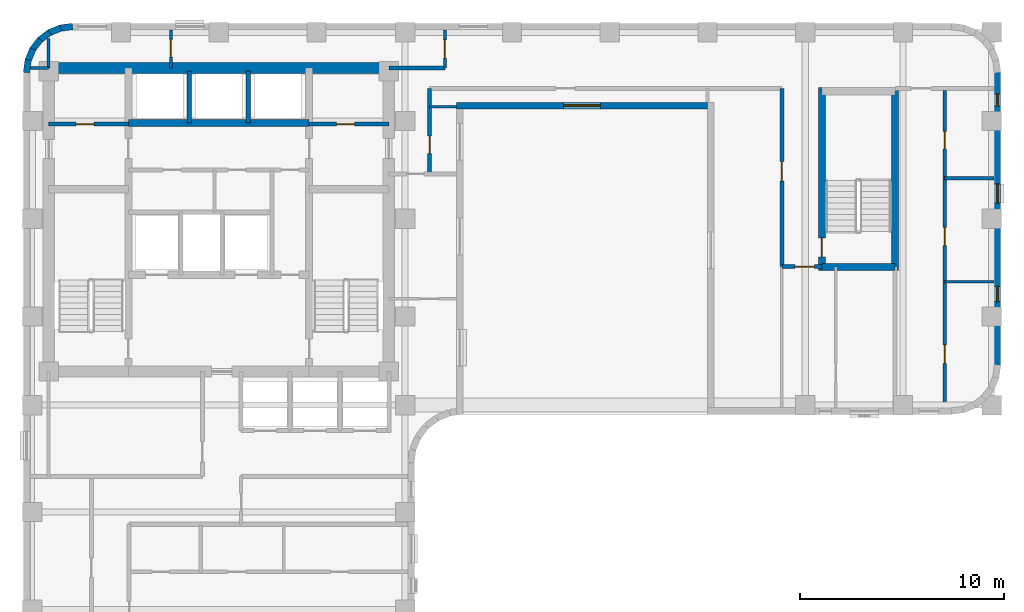
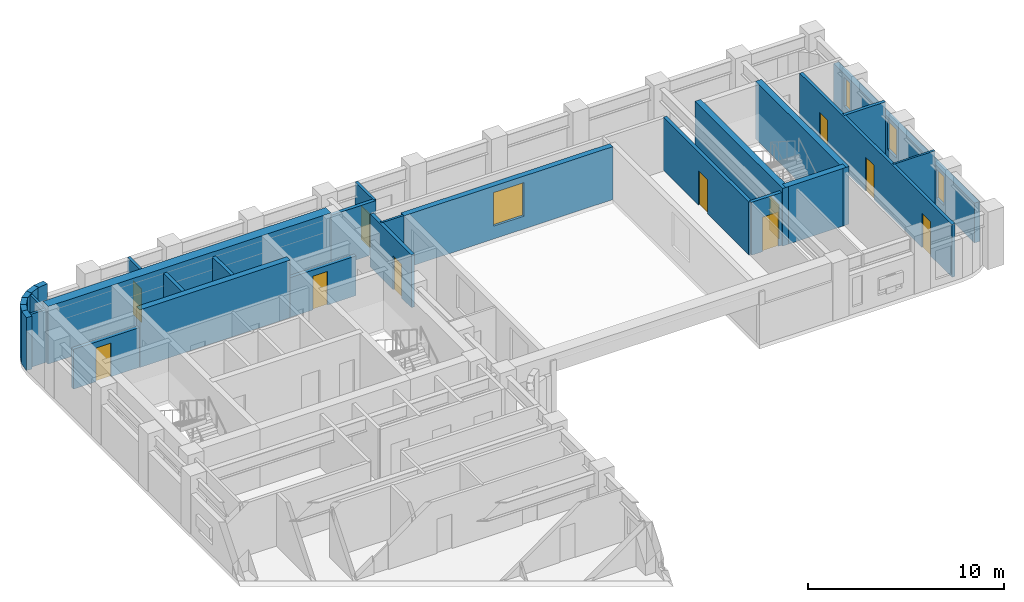
# One storey, part 5 of 9: 29 walls, 11 doors, 4 windows, 15 openings.
"""IFC4 building model written with IfcOpenShell, lengths in metres."""

from ifc_helpers import new_model, si_unit, direction, frame, frame_2d, origin, place, context, subcontext, project, spatial, rectangle, extrude, material, layer, layer_set, type_object, element, fill, save


model = new_model("IFC4")

# Units and contexts
model_context = context("Model", 3, precision=1e-05, world=origin(), true_north=direction((0.0, 1.0)))
body_context = subcontext(model_context, "Body", "Model", "MODEL_VIEW")
ifc_project = project(units=[si_unit("LENGTHUNIT", "METRE"), si_unit("AREAUNIT", "SQUARE_METRE"), si_unit("VOLUMEUNIT", "CUBIC_METRE"), si_unit("PLANEANGLEUNIT", "RADIAN"), si_unit("MASSUNIT", "GRAM", prefix="KILO")], contexts=[model_context])

# Site, building, storey
site_placement = place(None, origin())
site = spatial("IfcSite", under=ifc_project, at=site_placement, CompositionType="ELEMENT")
building_placement = place(site_placement, origin())
building = spatial("IfcBuilding", under=site, at=building_placement, Name="Orvandelia Arch Residences", CompositionType="ELEMENT")
storey_placement = place(building_placement, frame((0.0, 0.0, 190.0)))
storey = spatial("IfcBuildingStorey", under=building, at=storey_placement, Name="L50", CompositionType="ELEMENT", Elevation=190.0)

# Wall
ifc_material_1 = material(Name="Concrete C50/60", Category="concrete")
ifc_layer_1 = layer(ifc_material_1, 0.35009765625, Name="Concrete C50/60", Category="concrete")
ifc_layer_set_1 = layer_set([ifc_layer_1], Name="Concrete C50/60")
wall_type_1 = type_object("IfcWallType", Name="WL-CORE-350", PredefinedType="SHEAR", material=ifc_layer_set_1)
wall_1_placement = place(storey_placement, frame((9.9599609375, 43.10009765625, 0.0), z_axis=(0.0, 0.0, 1.0), x_axis=(1.0, 0.0, 0.0)))
element("IfcWall", 1, at=wall_1_placement, inside=storey, type_object=wall_type_1, Name="Core Shear Wall L50-HZ4", PredefinedType="SHEAR", context=body_context, shape_type="SweptSolid", body=[
    extrude(rectangle(XDim=8.880126953125, YDim=0.35009765625, at=frame_2d((4.43994140625, 0.0))), origin(), (0.0, 0.0, 1.0), 3.60009765625),
])

# Wall, opening, door
wall_2_placement = place(storey_placement, frame((44.02001953125, 35.864990234375, 0.0), z_axis=(0.0, 0.0, 1.0), x_axis=(0.0, 1.0, 0.0)))
wall_2 = element("IfcWall", 2, at=wall_2_placement, inside=storey, type_object=wall_type_1, Name="East Stair Core Shear Wall L50-W", PredefinedType="SHEAR", context=body_context, shape_type="SweptSolid", body=[
    extrude(rectangle(XDim=8.969970703125, YDim=0.35009765625, at=frame_2d((4.48486328125, 0.0))), origin(), (0.0, 0.0, 1.0), 3.60009765625),
])
opening_1_placement = place(wall_2_placement, frame((0.64990234375, 0.0, 0.0)))
opening_1 = element("IfcOpeningElement", 3, at=opening_1_placement, cuts=wall_2, Name="Opening D7", PredefinedType="OPENING", context=body_context, shape_type="SweptSolid", body=[
    extrude(rectangle(XDim=0.949951171875, YDim=2.10009765625, at=frame_2d((0.47509765625, 1.050048828125))), frame((0.0, 0.18505859375, 0.0), z_axis=(0.0, -1.0, 0.0), x_axis=(1.0, 0.0, 0.0)), (0.0, 0.0, 1.0), 0.3701171875),
])
ifc_material_2 = material(Name="Pressurised Stairwell Fire Door")
door_type_1 = type_object("IfcDoorType", Name="DR-STAIR-950", OperationType="NOTDEFINED", PredefinedType="DOOR", material=ifc_material_2)
door_1_placement = place(opening_1_placement, origin())
door_1 = element("IfcDoor", 4, at=door_1_placement, inside=storey, type_object=door_type_1, Name="East Stairwell ST-3 Fire Door L50", OperationType="SINGLE_SWING_LEFT", OverallHeight=2.10009765625, OverallWidth=0.949951171875, PredefinedType="DOOR", context=body_context, shape_type="SweptSolid", body=[
    extrude(rectangle(XDim=0.949951171875, YDim=2.10009765625, at=frame_2d((0.47509765625, 1.050048828125))), frame((0.0, 0.02490234375, 0.0), z_axis=(0.0, -1.0, 0.0), x_axis=(1.0, 0.0, 0.0)), (0.0, 0.0, 1.0), 0.050048828125),
])
fill(opening_1, door_1)

# Walls
wall_3_placement = place(storey_placement, frame((47.60009765625, 35.864990234375, 0.0), z_axis=(0.0, 0.0, 1.0), x_axis=(0.0, 1.0, 0.0)))
element("IfcWall", 5, at=wall_3_placement, inside=storey, type_object=wall_type_1, Name="East Stair Core Shear Wall L50-E", PredefinedType="SHEAR", context=body_context, shape_type="SweptSolid", body=[
    extrude(rectangle(XDim=8.969970703125, YDim=0.35009765625, at=frame_2d((4.48486328125, 0.0))), origin(), (0.0, 0.0, 1.0), 3.60009765625),
])
wall_4_placement = place(storey_placement, frame((44.02001953125, 36.0400390625, 0.0), z_axis=(0.0, 0.0, 1.0), x_axis=(1.0, 0.0, 0.0)))
element("IfcWall", 6, at=wall_4_placement, inside=storey, type_object=wall_type_1, Name="East Stair Core Shear Wall L50-S", PredefinedType="SHEAR", context=body_context, shape_type="SweptSolid", body=[
    extrude(rectangle(XDim=3.580078125, YDim=0.35009765625, at=frame_2d((1.7900390625, 0.0))), origin(), (0.0, 0.0, 1.0), 3.60009765625),
])
ifc_material_3 = material(Name="Concrete C60/75", Category="concrete")
ifc_layer_2 = layer(ifc_material_3, 0.550048828125, Name="Concrete C60/75", Category="concrete")
ifc_layer_set_2 = layer_set([ifc_layer_2], Name="Concrete C60/75")
wall_type_2 = type_object("IfcWallType", Name="WL-CORE-550", PredefinedType="SHEAR", material=ifc_layer_set_2)
wall_5_placement = place(storey_placement, frame((6.050048828125, 45.800048828125, 0.0), z_axis=(0.0, 0.0, 1.0), x_axis=(1.0, 0.0, 0.0)))
element("IfcWall", 7, at=wall_5_placement, inside=storey, type_object=wall_type_2, Name="Core Shear Wall L50-N", PredefinedType="SHEAR", context=body_context, shape_type="SweptSolid", body=[
    extrude(rectangle(XDim=16.699951171875, YDim=0.550048828125, at=frame_2d((8.35009765625, 0.0))), origin(), (0.0, 0.0, 1.0), 3.60009765625),
])
ifc_material_4 = material(Name="Fire-Rated Corridor Partition")
ifc_layer_3 = layer(ifc_material_4, 0.199951171875, Name="Fire-Rated Corridor Partition")
ifc_layer_set_3 = layer_set([ifc_layer_3], Name="Fire-Rated Corridor Partition")
wall_type_3 = type_object("IfcWallType", Name="WL-CORR-200", PredefinedType="PARTITIONING", material=ifc_layer_set_3)
wall_6_placement = place(storey_placement, frame((22.75, 45.800048828125, 0.0), z_axis=(0.0, 0.0, 1.0), x_axis=(1.0, 0.0, 0.0)))
element("IfcWall", 8, at=wall_6_placement, inside=storey, type_object=wall_type_3, Name="Interior Partition Wall WL-L50-NCE-S", PredefinedType="PARTITIONING", context=body_context, shape_type="SweptSolid", body=[
    extrude(rectangle(XDim=2.75, YDim=0.199951171875, at=frame_2d((1.375, 0.0))), origin(), (0.0, 0.0, 1.0), 3.300048828125),
])

# Wall, opening, door
wall_7_placement = place(storey_placement, frame((24.75, 40.60009765625, 0.0), z_axis=(0.0, 0.0, 1.0), x_axis=(0.0, 1.0, 0.0)))
wall_7 = element("IfcWall", 9, at=wall_7_placement, inside=storey, type_object=wall_type_3, Name="Interior Partition Wall WL-L50-ENP-LW", PredefinedType="PARTITIONING", context=body_context, shape_type="SweptSolid", body=[
    extrude(rectangle(XDim=4.199951171875, YDim=0.199951171875, at=frame_2d((2.10009765625, 0.0))), origin(), (0.0, 0.0, 1.0), 3.300048828125),
])
opening_2_placement = place(wall_7_placement, frame((1.0, 0.0, 0.0)))
opening_2 = element("IfcOpeningElement", 10, at=opening_2_placement, cuts=wall_7, Name="Opening D4", PredefinedType="OPENING", context=body_context, shape_type="SweptSolid", body=[
    extrude(rectangle(XDim=0.860107421875, YDim=2.10009765625, at=frame_2d((0.43017578125, 1.050048828125))), frame((0.0, 0.10986328125, 0.0), z_axis=(0.0, -1.0, 0.0), x_axis=(1.0, 0.0, 0.0)), (0.0, 0.0, 1.0), 0.219970703125),
])
ifc_material_5 = material(Name="Moisture-Sealed Timber Bathroom Door", Category="wood")
door_type_2 = type_object("IfcDoorType", Name="DR-WET-900", OperationType="NOTDEFINED", PredefinedType="DOOR", material=ifc_material_5)
door_2_placement = place(opening_2_placement, origin())
door_2 = element("IfcDoor", 11, at=door_2_placement, inside=storey, type_object=door_type_2, Name="DR-L50-VPWNK", OperationType="SINGLE_SWING_RIGHT", OverallHeight=2.10009765625, OverallWidth=0.860107421875, PredefinedType="DOOR", context=body_context, shape_type="SweptSolid", body=[
    extrude(rectangle(XDim=0.860107421875, YDim=2.10009765625, at=frame_2d((0.43017578125, 1.050048828125))), frame((0.0, 0.02490234375, 0.0), z_axis=(0.0, -1.0, 0.0), x_axis=(1.0, 0.0, 0.0)), (0.0, 0.0, 1.0), 0.050048828125),
])
fill(opening_2, door_2)

wall_8_placement = place(storey_placement, frame((42.050048828125, 36.050048828125, 0.0), z_axis=(0.0, 0.0, 1.0), x_axis=(0.0, 1.0, 0.0)))
wall_8 = element("IfcWall", 12, at=wall_8_placement, inside=storey, type_object=wall_type_3, Name="Interior Partition Wall WL-L50-ENP-SW", PredefinedType="PARTITIONING", context=body_context, shape_type="SweptSolid", body=[
    extrude(rectangle(XDim=8.75, YDim=0.199951171875, at=frame_2d((4.375, 0.0))), origin(), (0.0, 0.0, 1.0), 3.300048828125),
])
opening_3_placement = place(wall_8_placement, frame((4.199951171875, 0.0, 0.0)))
opening_3 = element("IfcOpeningElement", 13, at=opening_3_placement, cuts=wall_8, Name="Opening D2", PredefinedType="OPENING", context=body_context, shape_type="SweptSolid", body=[
    extrude(rectangle(XDim=0.949951171875, YDim=2.14990234375, at=frame_2d((0.47509765625, 1.074951171875))), frame((0.0, 0.10986328125, 0.0), z_axis=(0.0, -1.0, 0.0), x_axis=(1.0, 0.0, 0.0)), (0.0, 0.0, 1.0), 0.219970703125),
])
ifc_material_6 = material(Name="Solid-Core Timber Interior Fire Door", Category="wood")
door_type_3 = type_object("IfcDoorType", Name="DR-APT-950", OperationType="NOTDEFINED", PredefinedType="DOOR", material=ifc_material_6)
door_3_placement = place(opening_3_placement, origin())
door_3 = element("IfcDoor", 14, at=door_3_placement, inside=storey, type_object=door_type_3, Name="DR-L50-VPE1", OperationType="SINGLE_SWING_LEFT", OverallHeight=2.14990234375, OverallWidth=0.949951171875, PredefinedType="DOOR", context=body_context, shape_type="SweptSolid", body=[
    extrude(rectangle(XDim=0.949951171875, YDim=2.14990234375, at=frame_2d((0.47509765625, 1.074951171875))), frame((0.0, 0.02490234375, 0.0), z_axis=(0.0, -1.0, 0.0), x_axis=(1.0, 0.0, 0.0)), (0.0, 0.0, 1.0), 0.050048828125),
])
fill(opening_3, door_3)

wall_9_placement = place(storey_placement, frame((42.050048828125, 36.050048828125, 0.0), z_axis=(0.0, 0.0, 1.0), x_axis=(1.0, 0.0, 0.0)))
wall_9 = element("IfcWall", 15, at=wall_9_placement, inside=storey, type_object=wall_type_3, Name="Interior Partition Wall WL-L50-ENP-SS", PredefinedType="PARTITIONING", context=body_context, shape_type="SweptSolid", body=[
    extrude(rectangle(XDim=1.969970703125, YDim=0.199951171875, at=frame_2d((0.98486328125, 0.0))), origin(), (0.0, 0.0, 1.0), 3.300048828125),
])
opening_4_placement = place(wall_9_placement, frame((0.64990234375, 0.0, 0.0)))
opening_4 = element("IfcOpeningElement", 16, at=opening_4_placement, cuts=wall_9, Name="Opening D2", PredefinedType="OPENING", context=body_context, shape_type="SweptSolid", body=[
    extrude(rectangle(XDim=0.949951171875, YDim=2.14990234375, at=frame_2d((0.47509765625, 1.074951171875))), frame((0.0, 0.10986328125, 0.0), z_axis=(0.0, -1.0, 0.0), x_axis=(1.0, 0.0, 0.0)), (0.0, 0.0, 1.0), 0.219970703125),
])
door_4_placement = place(opening_4_placement, origin())
door_4 = element("IfcDoor", 17, at=door_4_placement, inside=storey, type_object=door_type_3, Name="DR-L50-VPS3A", OperationType="SINGLE_SWING_LEFT", OverallHeight=2.14990234375, OverallWidth=0.949951171875, PredefinedType="DOOR", context=body_context, shape_type="SweptSolid", body=[
    extrude(rectangle(XDim=0.949951171875, YDim=2.14990234375, at=frame_2d((0.47509765625, 1.074951171875))), frame((0.0, 0.02490234375, 0.0), z_axis=(0.0, -1.0, 0.0), x_axis=(1.0, 0.0, 0.0)), (0.0, 0.0, 1.0), 0.050048828125),
])
fill(opening_4, door_4)

# Walls
ifc_material_7 = material(Name="Precast concrete C40/50", Category="concrete")
ifc_layer_4 = layer(ifc_material_7, 0.320068359375, Name="Precast concrete C40/50", Category="concrete")
ifc_layer_set_4 = layer_set([ifc_layer_4], Name="Precast concrete C40/50")
wall_type_4 = type_object("IfcWallType", Name="WL-EXT-STONE-320", PredefinedType="STANDARD", material=ifc_layer_set_4)
for number, where, z_axis, x_axis, name in (
    (18, (4.95849609375, 45.5791015625, 0.0), (0.0, 0.0, 1.0), (0.130555323746, 0.9914410257, 0.0), "Coral-Limestone Precast Facade Wall L50-001"),
    (19, (5.029541015625, 46.159912109375, 0.0), (0.0, 0.0, 1.0), (0.382650053678, 0.92389335771, 0.0), "Coral-Limestone Precast Facade Wall L50-002"),
):
    element("IfcWall", number, at=place(storey_placement, frame(where, z_axis=z_axis, x_axis=x_axis)), inside=storey, type_object=wall_type_4, Name=name, PredefinedType="STANDARD", context=body_context, shape_type="SweptSolid", body=[
        extrude(rectangle(XDim=0.62646484375, YDim=0.320068359375, at=frame_2d((0.313232421875, 0.0))), origin(), (0.0, 0.0, 1.0), 3.300048828125),
    ])
wall_10_placement = place(storey_placement, frame((5.248291015625, 46.70263671875, 0.0), z_axis=(0.0, 0.0, 1.0), x_axis=(0.608938521285, 0.7932174212, 0.0)))
element("IfcWall", 20, at=wall_10_placement, inside=storey, type_object=wall_type_4, Name="Coral-Limestone Precast Facade Wall L50-003", PredefinedType="STANDARD", context=body_context, shape_type="SweptSolid", body=[
    extrude(rectangle(XDim=0.626708984375, YDim=0.320068359375, at=frame_2d((0.3134765625, 0.0))), origin(), (0.0, 0.0, 1.0), 3.300048828125),
])
wall_11_placement = place(storey_placement, frame((5.600341796875, 47.170166015625, 0.0), z_axis=(0.0, 0.0, 1.0), x_axis=(0.793405610854, 0.608693302629, 0.0)))
element("IfcWall", 21, at=wall_11_placement, inside=storey, type_object=wall_type_4, Name="Coral-Limestone Precast Facade Wall L50-004", PredefinedType="STANDARD", context=body_context, shape_type="SweptSolid", body=[
    extrude(rectangle(XDim=0.62646484375, YDim=0.320068359375, at=frame_2d((0.313232421875, 0.0))), origin(), (0.0, 0.0, 1.0), 3.300048828125),
])
wall_12_placement = place(storey_placement, frame((6.061279296875, 47.53076171875, 0.0), z_axis=(0.0, 0.0, 1.0), x_axis=(0.923836271867, 0.382787856107, 0.0)))
element("IfcWall", 22, at=wall_12_placement, inside=storey, type_object=wall_type_4, Name="Coral-Limestone Precast Facade Wall L50-005", PredefinedType="STANDARD", context=body_context, shape_type="SweptSolid", body=[
    extrude(rectangle(XDim=0.626220703125, YDim=0.320068359375, at=frame_2d((0.31298828125, 0.0))), origin(), (0.0, 0.0, 1.0), 3.300048828125),
])
wall_13_placement = place(storey_placement, frame((6.599609375, 47.759521484375, 0.0), z_axis=(0.0, 0.0, 1.0), x_axis=(0.991447664465, 0.130504898859, 0.0)))
element("IfcWall", 23, at=wall_13_placement, inside=storey, type_object=wall_type_4, Name="Coral-Limestone Precast Facade Wall L50-006", PredefinedType="STANDARD", context=body_context, shape_type="SweptSolid", body=[
    extrude(rectangle(XDim=0.626708984375, YDim=0.320068359375, at=frame_2d((0.3134765625, 0.0))), origin(), (0.0, 0.0, 1.0), 3.300048828125),
])

# Wall, openings, windows
wall_14_placement = place(storey_placement, frame((52.639892578125, 45.60009765625, 0.0), z_axis=(0.0, 0.0, 1.0), x_axis=(0.0, -1.0, 0.0)))
wall_14 = element("IfcWall", 24, at=wall_14_placement, inside=storey, type_object=wall_type_4, Name="Coral-Limestone Precast Facade Wall L50-014", PredefinedType="STANDARD", context=body_context, shape_type="SweptSolid", body=[
    extrude(rectangle(XDim=14.400146484375, YDim=0.320068359375, at=frame_2d((7.2001953125, 0.0))), origin(), (0.0, 0.0, 1.0), 2.47998046875),
])
opening_5_placement = place(wall_14_placement, frame((10.51953125, 0.0, 0.449951171875)))
opening_5 = element("IfcOpeningElement", 25, at=opening_5_placement, cuts=wall_14, Name="Opening W11", PredefinedType="OPENING", context=body_context, shape_type="SweptSolid", body=[
    extrude(rectangle(XDim=0.75, YDim=1.800048828125, at=frame_2d((0.375, 0.89990234375))), frame((0.0, 0.169921875, 0.0), z_axis=(0.0, -1.0, 0.0), x_axis=(1.0, 0.0, 0.0)), (0.0, 0.0, 1.0), 0.340087890625),
])
opening_6_placement = place(wall_14_placement, frame((1.0625, 0.0, 0.449951171875)))
opening_6 = element("IfcOpeningElement", 26, at=opening_6_placement, cuts=wall_14, Name="Opening W12", PredefinedType="OPENING", context=body_context, shape_type="SweptSolid", body=[
    extrude(rectangle(XDim=0.60009765625, YDim=1.800048828125, at=frame_2d((0.300048828125, 0.89990234375))), frame((0.0, 0.169921875, 0.0), z_axis=(0.0, -1.0, 0.0), x_axis=(1.0, 0.0, 0.0)), (0.0, 0.0, 1.0), 0.340087890625),
])
opening_7_placement = place(wall_14_placement, frame((5.486083984375, 0.0, 0.449951171875)))
opening_7 = element("IfcOpeningElement", 27, at=opening_7_placement, cuts=wall_14, Name="Opening W4", PredefinedType="OPENING", context=body_context, shape_type="SweptSolid", body=[
    extrude(rectangle(XDim=0.949951171875, YDim=1.800048828125, at=frame_2d((0.47509765625, 0.89990234375))), frame((0.0, 0.169921875, 0.0), z_axis=(0.0, -1.0, 0.0), x_axis=(1.0, 0.0, 0.0)), (0.0, 0.0, 1.0), 0.340087890625),
])
ifc_material_8 = material(Name="Tempered Low-E Insulated Glazing", Category="glass")
window_type_1 = type_object("IfcWindowType", Name="WIN-BED-0750x1800", PartitioningType="SINGLE_PANEL", PredefinedType="WINDOW", material=ifc_material_8)
window_1_placement = place(opening_5_placement, origin())
window_1 = element("IfcWindow", 28, at=window_1_placement, inside=storey, type_object=window_type_1, Name="Recessed Punched Window L50-004", OverallHeight=1.800048828125, OverallWidth=0.75, PartitioningType="SINGLE_PANEL", PredefinedType="WINDOW", context=body_context, shape_type="SweptSolid", body=[
    extrude(rectangle(XDim=0.75, YDim=1.800048828125, at=frame_2d((0.375, 0.89990234375))), frame((0.0, 0.030029296875, 0.0), z_axis=(0.0, -1.0, 0.0), x_axis=(1.0, 0.0, 0.0)), (0.0, 0.0, 1.0), 0.06005859375),
])
fill(opening_5, window_1)
window_type_2 = type_object("IfcWindowType", Name="WIN-LAN-0600x1800", PartitioningType="SINGLE_PANEL", PredefinedType="WINDOW", material=ifc_material_8)
window_2_placement = place(opening_6_placement, origin())
window_2 = element("IfcWindow", 29, at=window_2_placement, inside=storey, type_object=window_type_2, Name="Recessed Punched Window L50-005", OverallHeight=1.800048828125, OverallWidth=0.60009765625, PartitioningType="SINGLE_PANEL", PredefinedType="WINDOW", context=body_context, shape_type="SweptSolid", body=[
    extrude(rectangle(XDim=0.60009765625, YDim=1.800048828125, at=frame_2d((0.300048828125, 0.89990234375))), frame((0.0, 0.030029296875, 0.0), z_axis=(0.0, -1.0, 0.0), x_axis=(1.0, 0.0, 0.0)), (0.0, 0.0, 1.0), 0.06005859375),
])
fill(opening_6, window_2)
window_type_3 = type_object("IfcWindowType", Name="WIN-RES-0950x1800", PartitioningType="SINGLE_PANEL", PredefinedType="WINDOW", material=ifc_material_8)
window_3_placement = place(opening_7_placement, origin())
window_3 = element("IfcWindow", 30, at=window_3_placement, inside=storey, type_object=window_type_3, Name="Recessed Punched Window L50-006", OverallHeight=1.800048828125, OverallWidth=0.949951171875, PartitioningType="SINGLE_PANEL", PredefinedType="WINDOW", context=body_context, shape_type="SweptSolid", body=[
    extrude(rectangle(XDim=0.949951171875, YDim=1.800048828125, at=frame_2d((0.47509765625, 0.89990234375))), frame((0.0, 0.030029296875, 0.0), z_axis=(0.0, -1.0, 0.0), x_axis=(1.0, 0.0, 0.0)), (0.0, 0.0, 1.0), 0.06005859375),
])
fill(opening_7, window_3)

# Wall, opening, window
wall_15_placement = place(storey_placement, frame((38.39990234375, 43.9599609375, 0.0), z_axis=(0.0, 0.0, 1.0), x_axis=(-1.0, 0.0, 0.0)))
wall_15 = element("IfcWall", 31, at=wall_15_placement, inside=storey, type_object=wall_type_4, Name="Coral-Limestone Precast Facade Wall L50-023", PredefinedType="STANDARD", context=body_context, shape_type="SweptSolid", body=[
    extrude(rectangle(XDim=12.31982421875, YDim=0.320068359375, at=frame_2d((6.159912109375, 0.0))), origin(), (0.0, 0.0, 1.0), 3.300048828125),
])
opening_8_placement = place(wall_15_placement, frame((5.260009765625, 0.0, 0.800048828125)))
opening_8 = element("IfcOpeningElement", 32, at=opening_8_placement, cuts=wall_15, Name="Opening W1", PredefinedType="OPENING", context=body_context, shape_type="SweptSolid", body=[
    extrude(rectangle(XDim=1.800048828125, YDim=2.10009765625, at=frame_2d((0.89990234375, 1.050048828125))), frame((0.0, 0.169921875, 0.0), z_axis=(0.0, -1.0, 0.0), x_axis=(1.0, 0.0, 0.0)), (0.0, 0.0, 1.0), 0.340087890625),
])
window_type_4 = type_object("IfcWindowType", Name="WIN-RES-1800x2100", PartitioningType="SINGLE_PANEL", PredefinedType="WINDOW", material=ifc_material_8)
window_4_placement = place(opening_8_placement, origin())
window_4 = element("IfcWindow", 33, at=window_4_placement, inside=storey, type_object=window_type_4, Name="Recessed Punched Window L50-011", OverallHeight=2.10009765625, OverallWidth=1.800048828125, PartitioningType="SINGLE_PANEL", PredefinedType="WINDOW", context=body_context, shape_type="SweptSolid", body=[
    extrude(rectangle(XDim=1.800048828125, YDim=2.10009765625, at=frame_2d((0.89990234375, 1.050048828125))), frame((0.0, 0.030029296875, 0.0), z_axis=(0.0, -1.0, 0.0), x_axis=(1.0, 0.0, 0.0)), (0.0, 0.0, 1.0), 0.06005859375),
])
fill(opening_8, window_4)

# Walls
ifc_material_9 = material(Name="Lightweight Gypsum Stud Partition")
ifc_layer_5 = layer(ifc_material_9, 0.1201171875, Name="Lightweight Gypsum Stud Partition")
ifc_layer_set_5 = layer_set([ifc_layer_5], Name="Lightweight Gypsum Stud Partition")
wall_type_5 = type_object("IfcWallType", Name="WL-PART-120", PredefinedType="PARTITIONING", material=ifc_layer_set_5)
wall_16_placement = place(storey_placement, frame((24.75, 43.89990234375, 0.0), z_axis=(0.0, 0.0, 1.0), x_axis=(1.0, 0.0, 0.0)))
element("IfcWall", 34, at=wall_16_placement, inside=storey, type_object=wall_type_5, Name="Interior Partition Wall WL-L50-VPWNK-N", PredefinedType="PARTITIONING", context=body_context, shape_type="SweptSolid", body=[
    extrude(rectangle(XDim=1.330078125, YDim=0.1201171875, at=frame_2d((0.6650390625, 0.0))), origin(), (0.0, 0.0, 1.0), 3.300048828125),
])
wall_17_placement = place(storey_placement, frame((50.04296875, 35.31591796875, 0.0), z_axis=(0.0, 0.0, 1.0), x_axis=(1.0, 0.0, 0.0)))
element("IfcWall", 35, at=wall_17_placement, inside=storey, type_object=wall_type_5, Name="Interior Partition Wall WL-L50-U03-H1", PredefinedType="PARTITIONING", context=body_context, shape_type="SweptSolid", body=[
    extrude(rectangle(XDim=2.43701171875, YDim=0.1201171875, at=frame_2d((1.218505859375, 0.0))), origin(), (0.0, 0.0, 1.0), 3.300048828125),
])
ifc_material_10 = material(Name="Acoustic Gypsum Stud Partition")
ifc_layer_6 = layer(ifc_material_10, 0.14990234375, Name="Acoustic Gypsum Stud Partition")
ifc_layer_set_6 = layer_set([ifc_layer_6], Name="Acoustic Gypsum Stud Partition")
wall_type_6 = type_object("IfcWallType", Name="WL-PART-150", PredefinedType="PARTITIONING", material=ifc_layer_set_6)
wall_18_placement = place(storey_placement, frame((5.159912109375, 45.800048828125, 0.0), z_axis=(0.0, 0.0, 1.0), x_axis=(1.0, 0.0, 0.0)))
element("IfcWall", 36, at=wall_18_placement, inside=storey, type_object=wall_type_6, Name="Interior Partition Wall WL-L50-WF-N", PredefinedType="PARTITIONING", context=body_context, shape_type="SweptSolid", body=[
    extrude(rectangle(XDim=0.89013671875, YDim=0.14990234375, at=frame_2d((0.445068359375, 0.0))), origin(), (0.0, 0.0, 1.0), 3.300048828125),
])

# Wall, opening, door
wall_19_placement = place(storey_placement, frame((25.5, 45.800048828125, 0.0), z_axis=(0.0, 0.0, 1.0), x_axis=(0.0, 1.0, 0.0)))
wall_19 = element("IfcWall", 37, at=wall_19_placement, inside=storey, type_object=wall_type_6, Name="Interior Partition Wall WL-L50-NCE-W", PredefinedType="PARTITIONING", context=body_context, shape_type="SweptSolid", body=[
    extrude(rectangle(XDim=1.8798828125, YDim=0.14990234375, at=frame_2d((0.93994140625, 0.0))), origin(), (0.0, 0.0, 1.0), 3.300048828125),
])
opening_9_placement = place(wall_19_placement, frame((0.5, 0.0, 0.0)))
opening_9 = element("IfcOpeningElement", 38, at=opening_9_placement, cuts=wall_19, Name="Opening D5", PredefinedType="OPENING", context=body_context, shape_type="SweptSolid", body=[
    extrude(rectangle(XDim=0.8798828125, YDim=2.10009765625, at=frame_2d((0.43994140625, 1.050048828125))), frame((0.0, 0.0849609375, 0.0), z_axis=(0.0, -1.0, 0.0), x_axis=(1.0, 0.0, 0.0)), (0.0, 0.0, 1.0), 0.169921875),
])
ifc_material_11 = material(Name="Painted Galvanised Steel Service Door", Category="steel")
door_type_4 = type_object("IfcDoorType", Name="DR-SRV-880", OperationType="NOTDEFINED", PredefinedType="DOOR", material=ifc_material_11)
door_5_placement = place(opening_9_placement, origin())
door_5 = element("IfcDoor", 39, at=door_5_placement, inside=storey, type_object=door_type_4, Name="DR-L50-NCS2", OperationType="SINGLE_SWING_LEFT", OverallHeight=2.10009765625, OverallWidth=0.8798828125, PredefinedType="DOOR", context=body_context, shape_type="SweptSolid", body=[
    extrude(rectangle(XDim=0.8798828125, YDim=2.10009765625, at=frame_2d((0.43994140625, 1.050048828125))), frame((0.0, 0.02490234375, 0.0), z_axis=(0.0, -1.0, 0.0), x_axis=(1.0, 0.0, 0.0)), (0.0, 0.0, 1.0), 0.050048828125),
])
fill(opening_9, door_5)

# Wall
wall_20_placement = place(storey_placement, frame((6.050048828125, 45.800048828125, 0.0), z_axis=(0.0, 0.0, 1.0), x_axis=(0.0, 1.0, 0.0)))
element("IfcWall", 40, at=wall_20_placement, inside=storey, type_object=wall_type_6, Name="Interior Partition Wall WL-L50-NC-W6", PredefinedType="PARTITIONING", context=body_context, shape_type="SweptSolid", body=[
    extrude(rectangle(XDim=1.4599609375, YDim=0.14990234375, at=frame_2d((0.72998046875, 0.0))), origin(), (0.0, 0.0, 1.0), 3.300048828125),
])

# Wall, opening, door
wall_21_placement = place(storey_placement, frame((12.050048828125, 45.800048828125, 0.0), z_axis=(0.0, 0.0, 1.0), x_axis=(0.0, 1.0, 0.0)))
wall_21 = element("IfcWall", 41, at=wall_21_placement, inside=storey, type_object=wall_type_6, Name="Interior Partition Wall WL-L50-NC-M", PredefinedType="PARTITIONING", context=body_context, shape_type="SweptSolid", body=[
    extrude(rectangle(XDim=1.8798828125, YDim=0.14990234375, at=frame_2d((0.93994140625, 0.0))), origin(), (0.0, 0.0, 1.0), 3.300048828125),
])
opening_10_placement = place(wall_21_placement, frame((0.550048828125, 0.0, 0.0)))
opening_10 = element("IfcOpeningElement", 42, at=opening_10_placement, cuts=wall_21, Name="Opening D4", PredefinedType="OPENING", context=body_context, shape_type="SweptSolid", body=[
    extrude(rectangle(XDim=0.860107421875, YDim=2.10009765625, at=frame_2d((0.43017578125, 1.050048828125))), frame((0.0, 0.0849609375, 0.0), z_axis=(0.0, -1.0, 0.0), x_axis=(1.0, 0.0, 0.0)), (0.0, 0.0, 1.0), 0.169921875),
])
door_6_placement = place(opening_10_placement, origin())
door_6 = element("IfcDoor", 43, at=door_6_placement, inside=storey, type_object=door_type_2, Name="DR-L50-NCS1", OperationType="SINGLE_SWING_LEFT", OverallHeight=2.10009765625, OverallWidth=0.860107421875, PredefinedType="DOOR", context=body_context, shape_type="SweptSolid", body=[
    extrude(rectangle(XDim=0.860107421875, YDim=2.10009765625, at=frame_2d((0.43017578125, 1.050048828125))), frame((0.0, 0.02490234375, 0.0), z_axis=(0.0, -1.0, 0.0), x_axis=(1.0, 0.0, 0.0)), (0.0, 0.0, 1.0), 0.050048828125),
])
fill(opening_10, door_6)

ifc_material_12 = material(Name="Fire-Rated Shaft Enclosure Wall")
ifc_layer_7 = layer(ifc_material_12, 0.199951171875, Name="Fire-Rated Shaft Enclosure Wall")
ifc_layer_set_7 = layer_set([ifc_layer_7], Name="Fire-Rated Shaft Enclosure Wall")
wall_type_7 = type_object("IfcWallType", Name="WL-SHAFT-200", PredefinedType="POLYGONAL", material=ifc_layer_set_7)
wall_22_placement = place(storey_placement, frame((18.840087890625, 43.050048828125, 0.0), z_axis=(0.0, 0.0, 1.0), x_axis=(1.0, 0.0, 0.0)))
wall_22 = element("IfcWall", 44, at=wall_22_placement, inside=storey, type_object=wall_type_7, Name="Interior Partition Wall WL-L50-HLE-N", PredefinedType="POLYGONAL", context=body_context, shape_type="SweptSolid", body=[
    extrude(rectangle(XDim=3.909912109375, YDim=0.199951171875, at=frame_2d((1.955078125, 0.0))), origin(), (0.0, 0.0, 1.0), 2.47998046875),
])
opening_11_placement = place(wall_22_placement, frame((1.35009765625, 0.0, 0.0)))
opening_11 = element("IfcOpeningElement", 45, at=opening_11_placement, cuts=wall_22, Name="Opening D5", PredefinedType="OPENING", context=body_context, shape_type="SweptSolid", body=[
    extrude(rectangle(XDim=0.8798828125, YDim=2.10009765625, at=frame_2d((0.43994140625, 1.050048828125))), frame((0.0, 0.10986328125, 0.0), z_axis=(0.0, -1.0, 0.0), x_axis=(1.0, 0.0, 0.0)), (0.0, 0.0, 1.0), 0.219970703125),
])
door_7_placement = place(opening_11_placement, origin())
door_7 = element("IfcDoor", 46, at=door_7_placement, inside=storey, type_object=door_type_4, Name="DR-L50-CSB1", OperationType="SINGLE_SWING_LEFT", OverallHeight=2.10009765625, OverallWidth=0.8798828125, PredefinedType="DOOR", context=body_context, shape_type="SweptSolid", body=[
    extrude(rectangle(XDim=0.8798828125, YDim=2.10009765625, at=frame_2d((0.43994140625, 1.050048828125))), frame((0.0, 0.02490234375, 0.0), z_axis=(0.0, -1.0, 0.0), x_axis=(1.0, 0.0, 0.0)), (0.0, 0.0, 1.0), 0.050048828125),
])
fill(opening_11, door_7)

wall_23_placement = place(storey_placement, frame((6.050048828125, 43.050048828125, 0.0), z_axis=(0.0, 0.0, 1.0), x_axis=(1.0, 0.0, 0.0)))
wall_23 = element("IfcWall", 47, at=wall_23_placement, inside=storey, type_object=wall_type_7, Name="Interior Partition Wall WL-L50-HLW-N", PredefinedType="POLYGONAL", context=body_context, shape_type="SweptSolid", body=[
    extrude(rectangle(XDim=3.909912109375, YDim=0.199951171875, at=frame_2d((1.955078125, 0.0))), origin(), (0.0, 0.0, 1.0), 2.47998046875),
])
opening_12_placement = place(wall_23_placement, frame((1.35009765625, 0.0, 0.0)))
opening_12 = element("IfcOpeningElement", 48, at=opening_12_placement, cuts=wall_23, Name="Opening D5", PredefinedType="OPENING", context=body_context, shape_type="SweptSolid", body=[
    extrude(rectangle(XDim=0.8798828125, YDim=2.10009765625, at=frame_2d((0.43994140625, 1.050048828125))), frame((0.0, 0.10986328125, 0.0), z_axis=(0.0, -1.0, 0.0), x_axis=(1.0, 0.0, 0.0)), (0.0, 0.0, 1.0), 0.219970703125),
])
door_8_placement = place(opening_12_placement, origin())
door_8 = element("IfcDoor", 49, at=door_8_placement, inside=storey, type_object=door_type_4, Name="Riser Service Door L50", OperationType="SINGLE_SWING_RIGHT", OverallHeight=2.10009765625, OverallWidth=0.8798828125, PredefinedType="DOOR", context=body_context, shape_type="SweptSolid", body=[
    extrude(rectangle(XDim=0.8798828125, YDim=2.10009765625, at=frame_2d((0.43994140625, 1.050048828125))), frame((0.0, 0.02490234375, 0.0), z_axis=(0.0, -1.0, 0.0), x_axis=(1.0, 0.0, 0.0)), (0.0, 0.0, 1.0), 0.050048828125),
])
fill(opening_12, door_8)

# Walls
for number, where, z_axis, x_axis, name in (
    (50, (12.949951171875, 43.10009765625, 0.0), (0.0, 0.0, 1.0), (0.0, 1.0, 0.0), "Interior Partition Wall WL-L50-PHD1"),
    (51, (15.85009765625, 43.10009765625, 0.0), (0.0, 0.0, 1.0), (0.0, 1.0, 0.0), "Interior Partition Wall WL-L50-PHD2"),
):
    element("IfcWall", number, at=place(storey_placement, frame(where, z_axis=z_axis, x_axis=x_axis)), inside=storey, type_object=wall_type_7, Name=name, PredefinedType="POLYGONAL", context=body_context, shape_type="SweptSolid", body=[
        extrude(rectangle(XDim=2.5498046875, YDim=0.199951171875, at=frame_2d((1.27490234375, 0.0))), origin(), (0.0, 0.0, 1.0), 3.300048828125),
    ])

# Wall, openings, doors
ifc_material_13 = material(Name="Moisture-Resistant Plumbing Wall")
ifc_layer_8 = layer(ifc_material_13, 0.179931640625, Name="Moisture-Resistant Plumbing Wall")
ifc_layer_set_8 = layer_set([ifc_layer_8], Name="Moisture-Resistant Plumbing Wall")
wall_type_8 = type_object("IfcWallType", Name="WL-WET-180", PredefinedType="PLUMBINGWALL", material=ifc_layer_set_8)
wall_24_placement = place(storey_placement, frame((50.04296875, 29.1201171875, 0.0), z_axis=(0.0, 0.0, 1.0), x_axis=(0.0, 1.0, 0.0)))
wall_24 = element("IfcWall", 52, at=wall_24_placement, inside=storey, type_object=wall_type_8, Name="Interior Partition Wall WL-L50-U03-VT", PredefinedType="PLUMBINGWALL", context=body_context, shape_type="SweptSolid", body=[
    extrude(rectangle(XDim=15.579833984375, YDim=0.179931640625, at=frame_2d((7.7900390625, 0.0))), origin(), (0.0, 0.0, 1.0), 3.300048828125),
])
opening_13_placement = place(wall_24_placement, frame((2.1826171875, 0.0, 0.0)))
opening_13 = element("IfcOpeningElement", 53, at=opening_13_placement, cuts=wall_24, Name="Opening D3", PredefinedType="OPENING", context=body_context, shape_type="SweptSolid", body=[
    extrude(rectangle(XDim=0.89990234375, YDim=2.14990234375, at=frame_2d((0.449951171875, 1.074951171875))), frame((0.0, 0.10009765625, 0.0), z_axis=(0.0, -1.0, 0.0), x_axis=(1.0, 0.0, 0.0)), (0.0, 0.0, 1.0), 0.199951171875),
])
opening_14_placement = place(wall_24_placement, frame((7.958740234375, 0.0, 0.0)))
opening_14 = element("IfcOpeningElement", 54, at=opening_14_placement, cuts=wall_24, Name="Opening D3", PredefinedType="OPENING", context=body_context, shape_type="SweptSolid", body=[
    extrude(rectangle(XDim=0.89990234375, YDim=2.14990234375, at=frame_2d((0.449951171875, 1.074951171875))), frame((0.0, 0.10009765625, 0.0), z_axis=(0.0, -1.0, 0.0), x_axis=(1.0, 0.0, 0.0)), (0.0, 0.0, 1.0), 0.199951171875),
])
opening_15_placement = place(wall_24_placement, frame((12.710693359375, 0.0, 0.0)))
opening_15 = element("IfcOpeningElement", 55, at=opening_15_placement, cuts=wall_24, Name="Opening D4", PredefinedType="OPENING", context=body_context, shape_type="SweptSolid", body=[
    extrude(rectangle(XDim=0.860107421875, YDim=2.10009765625, at=frame_2d((0.43017578125, 1.050048828125))), frame((0.0, 0.10009765625, 0.0), z_axis=(0.0, -1.0, 0.0), x_axis=(1.0, 0.0, 0.0)), (0.0, 0.0, 1.0), 0.199951171875),
])
ifc_material_14 = material(Name="Engineered Timber Flush Door", Category="wood")
door_type_5 = type_object("IfcDoorType", Name="DR-INT-900", OperationType="NOTDEFINED", PredefinedType="DOOR", material=ifc_material_14)
door_9_placement = place(opening_13_placement, origin())
door_9 = element("IfcDoor", 56, at=door_9_placement, inside=storey, type_object=door_type_5, Name="DR-L50-U03-BD1", OperationType="SINGLE_SWING_LEFT", OverallHeight=2.14990234375, OverallWidth=0.89990234375, PredefinedType="DOOR", context=body_context, shape_type="SweptSolid", body=[
    extrude(rectangle(XDim=0.89990234375, YDim=2.14990234375, at=frame_2d((0.449951171875, 1.074951171875))), frame((0.0, 0.02490234375, 0.0), z_axis=(0.0, -1.0, 0.0), x_axis=(1.0, 0.0, 0.0)), (0.0, 0.0, 1.0), 0.050048828125),
])
fill(opening_13, door_9)
door_10_placement = place(opening_14_placement, origin())
door_10 = element("IfcDoor", 57, at=door_10_placement, inside=storey, type_object=door_type_5, Name="DR-L50-U03-KIT", OperationType="SINGLE_SWING_RIGHT", OverallHeight=2.14990234375, OverallWidth=0.89990234375, PredefinedType="DOOR", context=body_context, shape_type="SweptSolid", body=[
    extrude(rectangle(XDim=0.89990234375, YDim=2.14990234375, at=frame_2d((0.449951171875, 1.074951171875))), frame((0.0, 0.02490234375, 0.0), z_axis=(0.0, -1.0, 0.0), x_axis=(1.0, 0.0, 0.0)), (0.0, 0.0, 1.0), 0.050048828125),
])
fill(opening_14, door_10)
door_11_placement = place(opening_15_placement, origin())
door_11 = element("IfcDoor", 58, at=door_11_placement, inside=storey, type_object=door_type_2, Name="DR-L50-U03-BTH", OperationType="SINGLE_SWING_LEFT", OverallHeight=2.10009765625, OverallWidth=0.860107421875, PredefinedType="DOOR", context=body_context, shape_type="SweptSolid", body=[
    extrude(rectangle(XDim=0.860107421875, YDim=2.10009765625, at=frame_2d((0.43017578125, 1.050048828125))), frame((0.0, 0.02490234375, 0.0), z_axis=(0.0, -1.0, 0.0), x_axis=(1.0, 0.0, 0.0)), (0.0, 0.0, 1.0), 0.050048828125),
])
fill(opening_15, door_11)

# Wall
wall_25_placement = place(storey_placement, frame((50.04296875, 40.383056640625, 0.0), z_axis=(0.0, 0.0, 1.0), x_axis=(1.0, 0.0, 0.0)))
element("IfcWall", 59, at=wall_25_placement, inside=storey, type_object=wall_type_8, Name="Interior Partition Wall WL-L50-U03-H2", PredefinedType="PLUMBINGWALL", context=body_context, shape_type="SweptSolid", body=[
    extrude(rectangle(XDim=2.43701171875, YDim=0.179931640625, at=frame_2d((1.218505859375, 0.0))), origin(), (0.0, 0.0, 1.0), 3.300048828125),
])

save(model, "model.ifc")
